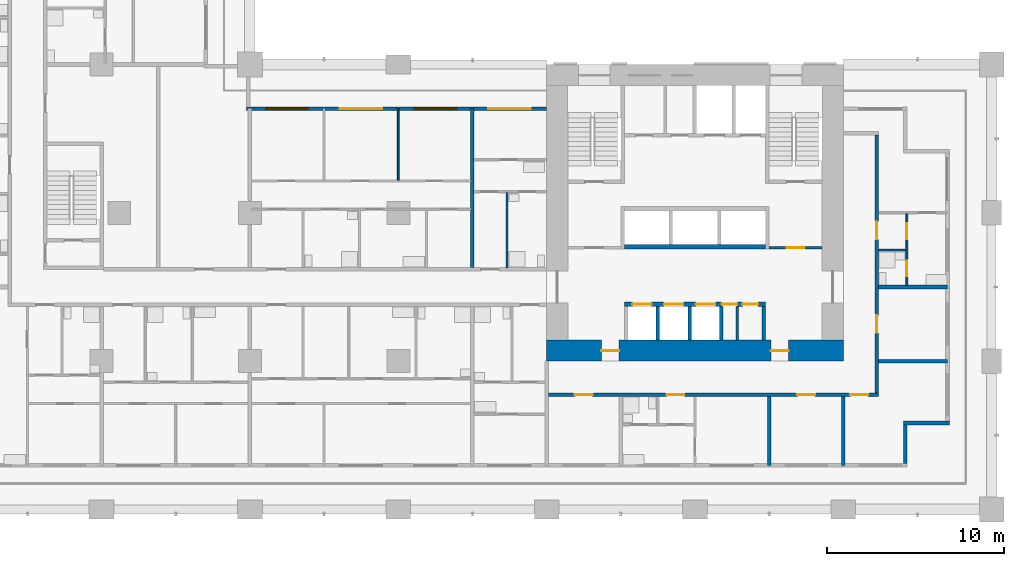
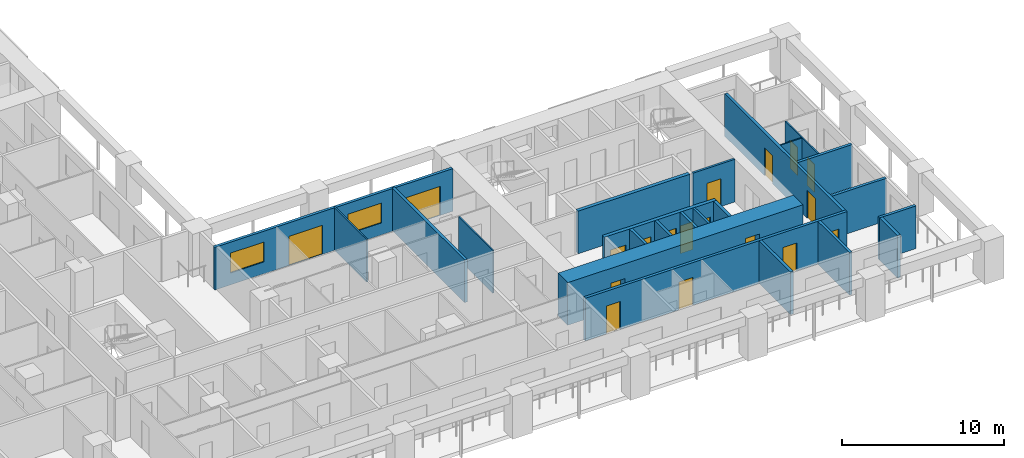
# One storey, part 6 of 19: 23 walls, 18 doors, 2 windows, 20 openings.
"""IFC4 building model written with IfcOpenShell, lengths in metres."""

from ifc_helpers import new_model, si_unit, direction, frame, frame_2d, origin, place, context, subcontext, project, spatial, rectangle, extrude, material, layer, layer_set, type_object, element, fill, save


model = new_model("IFC4")

# Units and contexts
model_context = context("Model", 3, precision=1e-05, world=origin(), true_north=direction((0.0, 1.0)))
body_context = subcontext(model_context, "Body", "Model", "MODEL_VIEW")
ifc_project = project(units=[si_unit("LENGTHUNIT", "METRE"), si_unit("AREAUNIT", "SQUARE_METRE"), si_unit("VOLUMEUNIT", "CUBIC_METRE"), si_unit("PLANEANGLEUNIT", "RADIAN"), si_unit("MASSUNIT", "GRAM", prefix="KILO")], contexts=[model_context])

# Site, building, storey
site_placement = place(None, origin())
site = spatial("IfcSite", under=ifc_project, at=site_placement, CompositionType="ELEMENT")
building_placement = place(site_placement, origin())
building = spatial("IfcBuilding", under=site, at=building_placement, Name="Vermilion Gate Residences", CompositionType="ELEMENT")
storey_placement = place(building_placement, frame((0.0, 0.0, 49.699951171875)))
storey = spatial("IfcBuildingStorey", under=building, at=storey_placement, Name="L11", CompositionType="ELEMENT", Elevation=49.699951171875)

# Wall
ifc_material_1 = material(Name="Masonry blockwork", Category="masonry")
ifc_layer_1 = layer(ifc_material_1, 0.14990234375)
ifc_layer_set_1 = layer_set([ifc_layer_1], Name="BLOCKWORK PARTITION 150 EI 120")
wall_type_1 = type_object("IfcWallType", Name="BLOCKWORK PARTITION 150 EI 120", PredefinedType="PARTITIONING", material=ifc_layer_set_1)
wall_1_placement = place(storey_placement, frame((52.79248046875, 9.60009765625, 0.0), z_axis=(0.0, 0.0, 1.0), x_axis=(0.0, 1.0, 0.0)))
element("IfcWall", 1, at=wall_1_placement, inside=storey, type_object=wall_type_1, Name="Core room partition A11-SR-P0", PredefinedType="PARTITIONING", context=body_context, shape_type="SweptSolid", body=[
    extrude(rectangle(XDim=1.89990234375, YDim=0.14990234375, at=frame_2d((0.949951171875, 0.0))), origin(), (0.0, 0.0, 1.0), 3.219970703125),
])

# Wall, opening, door
wall_2_placement = place(storey_placement, frame((54.60009765625, 14.824951171875, 0.0), z_axis=(0.0, 0.0, 1.0), x_axis=(1.0, 0.0, 0.0)))
wall_2 = element("IfcWall", 2, at=wall_2_placement, inside=storey, type_object=wall_type_1, Name="Core room partition A11-VE-S", PredefinedType="PARTITIONING", context=body_context, shape_type="SweptSolid", body=[
    extrude(rectangle(XDim=3.0, YDim=0.14990234375, at=frame_2d((1.5, 0.0))), origin(), (0.0, 0.0, 1.0), 3.219970703125),
])
opening_1_placement = place(wall_2_placement, frame((1.0, 0.0, 0.0)))
opening_1 = element("IfcOpeningElement", 3, at=opening_1_placement, cuts=wall_2, Name="Opening DK11016", PredefinedType="OPENING", context=body_context, shape_type="SweptSolid", body=[
    extrude(rectangle(XDim=1.0, YDim=2.10009765625, at=frame_2d((0.5, 1.050048828125))), frame((0.0, 0.0849609375, 0.0), z_axis=(0.0, -1.0, 0.0), x_axis=(1.0, 0.0, 0.0)), (0.0, 0.0, 1.0), 0.169921875),
])
ifc_material_2 = material(Name="Steel", Category="steel")
door_type_1 = type_object("IfcDoorType", Name="FIRE DOOR FD60 1000 X 2100", OperationType="SINGLE_SWING_LEFT", PredefinedType="DOOR", material=ifc_material_2)
door_1_placement = place(opening_1_placement, frame((1.0, 0.0, 0.0), z_axis=(0.0, 0.0, 1.0), x_axis=(-1.0, 0.0, 0.0)))
door_1 = element("IfcDoor", 4, at=door_1_placement, inside=storey, type_object=door_type_1, Name="Stair vestibule door A11", OperationType="SINGLE_SWING_LEFT", OverallHeight=2.10009765625, OverallWidth=1.0, PredefinedType="DOOR", context=body_context, shape_type="SweptSolid", body=[
    extrude(rectangle(XDim=1.0, YDim=2.10009765625, at=frame_2d((0.5, 1.050048828125))), frame((0.0, 0.02490234375, 0.0), z_axis=(0.0, -1.0, 0.0), x_axis=(1.0, 0.0, 0.0)), (0.0, 0.0, 1.0), 0.050048828125),
])
fill(opening_1, door_1)

# Walls
ifc_material_3 = material(Name="Insulated steel stud wall with terracotta rainscreen", Category="masonry")
ifc_layer_2 = layer(ifc_material_3, 0.199951171875)
ifc_layer_set_2 = layer_set([ifc_layer_2], Name="EXTERNAL WALL 200 TERRACOTTA RAINSCREEN")
wall_type_2 = type_object("IfcWallType", Name="EXTERNAL WALL 200 TERRACOTTA RAINSCREEN", PredefinedType="SOLIDWALL", material=ifc_layer_set_2)
wall_3_placement = place(storey_placement, frame((62.300048828125, 2.60009765625, 0.0), z_axis=(0.0, 0.0, 1.0), x_axis=(0.0, 1.0, 0.0)))
element("IfcWall", 5, at=wall_3_placement, inside=storey, type_object=wall_type_2, Name="External wall", PredefinedType="SOLIDWALL", context=body_context, shape_type="SweptSolid", body=[
    extrude(rectangle(XDim=2.199951171875, YDim=0.199951171875, at=frame_2d((1.10009765625, 0.0))), origin(), (0.0, 0.0, 1.0), 3.219970703125),
])
wall_4_placement = place(storey_placement, frame((62.199951171875, 4.89990234375, 0.0), z_axis=(0.0, 0.0, 1.0), x_axis=(1.0, 0.0, 0.0)))
element("IfcWall", 6, at=wall_4_placement, inside=storey, type_object=wall_type_2, Name="External wall", PredefinedType="SOLIDWALL", context=body_context, shape_type="SweptSolid", body=[
    extrude(rectangle(XDim=2.60009765625, YDim=0.199951171875, at=frame_2d((1.300048828125, 0.0))), origin(), (0.0, 0.0, 1.0), 3.219970703125),
])

# Wall, openings, doors, windows
wall_5_placement = place(storey_placement, frame((42.0, 22.699951171875, 0.0), z_axis=(0.0, 0.0, 1.0), x_axis=(-1.0, 0.0, 0.0)))
wall_5 = element("IfcWall", 7, at=wall_5_placement, inside=storey, type_object=wall_type_2, Name="External wall", PredefinedType="SOLIDWALL", context=body_context, shape_type="SweptSolid", body=[
    extrude(rectangle(XDim=17.0, YDim=0.199951171875, at=frame_2d((8.5, 0.0))), origin(), (0.0, 0.0, 1.0), 3.219970703125),
])
opening_2_placement = place(wall_5_placement, frame((13.5, 0.0, 0.89990234375)))
opening_2 = element("IfcOpeningElement", 8, at=opening_2_placement, cuts=wall_5, Name="Opening WE11033", PredefinedType="OPENING", context=body_context, shape_type="SweptSolid", body=[
    extrude(rectangle(XDim=2.39990234375, YDim=1.5, at=frame_2d((1.199951171875, 0.75))), frame((0.0, 0.10986328125, 0.0), z_axis=(0.0, -1.0, 0.0), x_axis=(1.0, 0.0, 0.0)), (0.0, 0.0, 1.0), 0.219970703125),
])
opening_3_placement = place(wall_5_placement, frame((9.300048828125, 0.0, 0.0)))
opening_3 = element("IfcOpeningElement", 9, at=opening_3_placement, cuts=wall_5, Name="Opening DE11034", PredefinedType="OPENING", context=body_context, shape_type="SweptSolid", body=[
    extrude(rectangle(XDim=2.39990234375, YDim=2.199951171875, at=frame_2d((1.199951171875, 1.10009765625))), frame((0.0, 0.10986328125, 0.0), z_axis=(0.0, -1.0, 0.0), x_axis=(1.0, 0.0, 0.0)), (0.0, 0.0, 1.0), 0.219970703125),
])
opening_4_placement = place(wall_5_placement, frame((5.10009765625, 0.0, 0.89990234375)))
opening_4 = element("IfcOpeningElement", 10, at=opening_4_placement, cuts=wall_5, Name="Opening WE11035", PredefinedType="OPENING", context=body_context, shape_type="SweptSolid", body=[
    extrude(rectangle(XDim=2.39990234375, YDim=1.5, at=frame_2d((1.199951171875, 0.75))), frame((0.0, 0.10986328125, 0.0), z_axis=(0.0, -1.0, 0.0), x_axis=(1.0, 0.0, 0.0)), (0.0, 0.0, 1.0), 0.219970703125),
])
opening_5_placement = place(wall_5_placement, frame((0.89990234375, 0.0, 0.0)))
opening_5 = element("IfcOpeningElement", 11, at=opening_5_placement, cuts=wall_5, Name="Opening DE11036", PredefinedType="OPENING", context=body_context, shape_type="SweptSolid", body=[
    extrude(rectangle(XDim=2.39990234375, YDim=2.199951171875, at=frame_2d((1.199951171875, 1.10009765625))), frame((0.0, 0.10986328125, 0.0), z_axis=(0.0, -1.0, 0.0), x_axis=(1.0, 0.0, 0.0)), (0.0, 0.0, 1.0), 0.219970703125),
])
ifc_material_4 = material(Name="Aluminium and clear glass", Category="aluminium")
door_type_2 = type_object("IfcDoorType", Name="SLIDING GLAZED DOOR 2400 X 2200", OperationType="DOUBLE_DOOR_SLIDING", PredefinedType="DOOR", material=ifc_material_4)
door_2_placement = place(opening_3_placement, origin())
door_2 = element("IfcDoor", 12, at=door_2_placement, inside=storey, type_object=door_type_2, Name="Loggia sliding door", OperationType="DOUBLE_DOOR_SLIDING", OverallHeight=2.199951171875, OverallWidth=2.39990234375, PredefinedType="DOOR", context=body_context, shape_type="SweptSolid", body=[
    extrude(rectangle(XDim=2.39990234375, YDim=2.199951171875, at=frame_2d((1.199951171875, 1.10009765625))), frame((0.0, 0.02490234375, 0.0), z_axis=(0.0, -1.0, 0.0), x_axis=(1.0, 0.0, 0.0)), (0.0, 0.0, 1.0), 0.050048828125),
])
fill(opening_3, door_2)
door_3_placement = place(opening_5_placement, origin())
door_3 = element("IfcDoor", 13, at=door_3_placement, inside=storey, type_object=door_type_2, Name="Loggia sliding door", OperationType="DOUBLE_DOOR_SLIDING", OverallHeight=2.199951171875, OverallWidth=2.39990234375, PredefinedType="DOOR", context=body_context, shape_type="SweptSolid", body=[
    extrude(rectangle(XDim=2.39990234375, YDim=2.199951171875, at=frame_2d((1.199951171875, 1.10009765625))), frame((0.0, 0.02490234375, 0.0), z_axis=(0.0, -1.0, 0.0), x_axis=(1.0, 0.0, 0.0)), (0.0, 0.0, 1.0), 0.050048828125),
])
fill(opening_5, door_3)
ifc_material_5 = material(Name="Aluminium and clear glass", Category="aluminium")
window_type = type_object("IfcWindowType", Name="WINDOW 2400 X 1500", PartitioningType="SINGLE_PANEL", PredefinedType="WINDOW", material=ifc_material_5)
window_1_placement = place(opening_2_placement, origin())
window_1 = element("IfcWindow", 14, at=window_1_placement, inside=storey, type_object=window_type, Name="Window", OverallHeight=1.5, OverallWidth=2.39990234375, PartitioningType="SINGLE_PANEL", PredefinedType="WINDOW", context=body_context, shape_type="SweptSolid", body=[
    extrude(rectangle(XDim=2.39990234375, YDim=1.5, at=frame_2d((1.199951171875, 0.75))), frame((0.0, 0.030029296875, 0.0), z_axis=(0.0, -1.0, 0.0), x_axis=(1.0, 0.0, 0.0)), (0.0, 0.0, 1.0), 0.06005859375),
])
fill(opening_2, window_1)
window_2_placement = place(opening_4_placement, origin())
window_2 = element("IfcWindow", 15, at=window_2_placement, inside=storey, type_object=window_type, Name="Window", OverallHeight=1.5, OverallWidth=2.39990234375, PartitioningType="SINGLE_PANEL", PredefinedType="WINDOW", context=body_context, shape_type="SweptSolid", body=[
    extrude(rectangle(XDim=2.39990234375, YDim=1.5, at=frame_2d((1.199951171875, 0.75))), frame((0.0, 0.030029296875, 0.0), z_axis=(0.0, -1.0, 0.0), x_axis=(1.0, 0.0, 0.0)), (0.0, 0.0, 1.0), 0.06005859375),
])
fill(opening_4, window_2)

# Walls
ifc_material_6 = material(Name="Plasterboard on steel studs", Category="steel")
ifc_layer_3 = layer(ifc_material_6, 0.10009765625)
ifc_layer_set_3 = layer_set([ifc_layer_3], Name="PARTITION 100")
wall_type_3 = type_object("IfcWallType", Name="PARTITION 100", PredefinedType="PARTITIONING", material=ifc_layer_set_3)
wall_6_placement = place(storey_placement, frame((60.800048828125, 14.699951171875, 0.0), z_axis=(0.0, 0.0, 1.0), x_axis=(1.0, 0.0, 0.0)))
element("IfcWall", 16, at=wall_6_placement, inside=storey, type_object=wall_type_3, Name="Partition", PredefinedType="PARTITIONING", context=body_context, shape_type="SweptSolid", body=[
    extrude(rectangle(XDim=1.550048828125, YDim=0.10009765625, at=frame_2d((0.77490234375, 0.0))), origin(), (0.0, 0.0, 1.0), 3.219970703125),
])
wall_7_placement = place(storey_placement, frame((33.60009765625, 18.64990234375, 0.0), z_axis=(0.0, 0.0, 1.0), x_axis=(0.0, 1.0, 0.0)))
element("IfcWall", 17, at=wall_7_placement, inside=storey, type_object=wall_type_3, Name="Partition", PredefinedType="PARTITIONING", context=body_context, shape_type="SweptSolid", body=[
    extrude(rectangle(XDim=4.050048828125, YDim=0.10009765625, at=frame_2d((2.02490234375, 0.0))), origin(), (0.0, 0.0, 1.0), 3.219970703125),
])
wall_8_placement = place(storey_placement, frame((39.760009765625, 13.699951171875, 0.0), z_axis=(0.0, 0.0, 1.0), x_axis=(0.0, 1.0, 0.0)))
element("IfcWall", 18, at=wall_8_placement, inside=storey, type_object=wall_type_3, Name="Partition", PredefinedType="PARTITIONING", context=body_context, shape_type="SweptSolid", body=[
    extrude(rectangle(XDim=4.25, YDim=0.10009765625, at=frame_2d((2.125, 0.0))), origin(), (0.0, 0.0, 1.0), 3.219970703125),
])

# Wall, openings, doors
wall_9_placement = place(storey_placement, frame((62.39990234375, 12.699951171875, 0.0), z_axis=(0.0, 0.0, 1.0), x_axis=(0.0, 1.0, 0.0)))
wall_9 = element("IfcWall", 19, at=wall_9_placement, inside=storey, type_object=wall_type_3, Name="Partition", PredefinedType="PARTITIONING", context=body_context, shape_type="SweptSolid", body=[
    extrude(rectangle(XDim=4.050048828125, YDim=0.10009765625, at=frame_2d((2.02490234375, 0.0))), origin(), (0.0, 0.0, 1.0), 3.219970703125),
])
opening_6_placement = place(wall_9_placement, frame((2.60009765625, 0.0, 0.0)))
opening_6 = element("IfcOpeningElement", 20, at=opening_6_placement, cuts=wall_9, Name="Opening DA10083", PredefinedType="OPENING", context=body_context, shape_type="SweptSolid", body=[
    extrude(rectangle(XDim=0.89990234375, YDim=2.10009765625, at=frame_2d((0.449951171875, 1.050048828125))), frame((0.0, 0.06005859375, 0.0), z_axis=(0.0, -1.0, 0.0), x_axis=(1.0, 0.0, 0.0)), (0.0, 0.0, 1.0), 0.1201171875),
])
opening_7_placement = place(wall_9_placement, frame((0.5, 0.0, 0.0)))
opening_7 = element("IfcOpeningElement", 21, at=opening_7_placement, cuts=wall_9, Name="Opening DA10084", PredefinedType="OPENING", context=body_context, shape_type="SweptSolid", body=[
    extrude(rectangle(XDim=0.89990234375, YDim=2.10009765625, at=frame_2d((0.449951171875, 1.050048828125))), frame((0.0, 0.06005859375, 0.0), z_axis=(0.0, -1.0, 0.0), x_axis=(1.0, 0.0, 0.0)), (0.0, 0.0, 1.0), 0.1201171875),
])
ifc_material_7 = material(Name="Timber", Category="wood")
door_type_3 = type_object("IfcDoorType", Name="INTERIOR DOOR 900 X 2100", OperationType="SINGLE_SWING_LEFT", PredefinedType="DOOR", material=ifc_material_7)
door_4_placement = place(opening_6_placement, frame((0.89990234375, 0.0, 0.0), z_axis=(0.0, 0.0, 1.0), x_axis=(-1.0, 0.0, 0.0)))
door_4 = element("IfcDoor", 22, at=door_4_placement, inside=storey, type_object=door_type_3, Name="Interior door", OperationType="SINGLE_SWING_LEFT", OverallHeight=2.10009765625, OverallWidth=0.89990234375, PredefinedType="DOOR", context=body_context, shape_type="SweptSolid", body=[
    extrude(rectangle(XDim=0.89990234375, YDim=2.10009765625, at=frame_2d((0.449951171875, 1.050048828125))), frame((0.0, 0.02490234375, 0.0), z_axis=(0.0, -1.0, 0.0), x_axis=(1.0, 0.0, 0.0)), (0.0, 0.0, 1.0), 0.050048828125),
])
fill(opening_6, door_4)
door_5_placement = place(opening_7_placement, origin())
door_5 = element("IfcDoor", 23, at=door_5_placement, inside=storey, type_object=door_type_3, Name="Interior door", OperationType="SINGLE_SWING_RIGHT", OverallHeight=2.10009765625, OverallWidth=0.89990234375, PredefinedType="DOOR", context=body_context, shape_type="SweptSolid", body=[
    extrude(rectangle(XDim=0.89990234375, YDim=2.10009765625, at=frame_2d((0.449951171875, 1.050048828125))), frame((0.0, 0.02490234375, 0.0), z_axis=(0.0, -1.0, 0.0), x_axis=(1.0, 0.0, 0.0)), (0.0, 0.0, 1.0), 0.050048828125),
])
fill(opening_7, door_5)

ifc_material_8 = material(Name="Fire-rated plasterboard on steel studs", Category="steel")
ifc_layer_4 = layer(ifc_material_8, 0.199951171875)
ifc_layer_set_4 = layer_set([ifc_layer_4], Name="PARTY WALL 200 EI 120")
wall_type_4 = type_object("IfcWallType", Name="PARTY WALL 200 EI 120", PredefinedType="PARTITIONING", material=ifc_layer_set_4)
wall_10_placement = place(storey_placement, frame((42.10009765625, 6.5, 0.0), z_axis=(0.0, 0.0, 1.0), x_axis=(1.0, 0.0, 0.0)))
wall_10 = element("IfcWall", 24, at=wall_10_placement, inside=storey, type_object=wall_type_4, Name="Party and corridor wall", PredefinedType="PARTITIONING", context=body_context, shape_type="SweptSolid", body=[
    extrude(rectangle(XDim=18.699951171875, YDim=0.199951171875, at=frame_2d((9.35009765625, 0.0))), origin(), (0.0, 0.0, 1.0), 3.219970703125),
])
opening_8_placement = place(wall_10_placement, frame((1.5, 0.0, 0.0)))
opening_8 = element("IfcOpeningElement", 25, at=opening_8_placement, cuts=wall_10, Name="Opening DA10009", PredefinedType="OPENING", context=body_context, shape_type="SweptSolid", body=[
    extrude(rectangle(XDim=1.0, YDim=2.10009765625, at=frame_2d((0.5, 1.050048828125))), frame((0.0, 0.10986328125, 0.0), z_axis=(0.0, -1.0, 0.0), x_axis=(1.0, 0.0, 0.0)), (0.0, 0.0, 1.0), 0.219970703125),
])
opening_9_placement = place(wall_10_placement, frame((6.699951171875, 0.0, 0.0)))
opening_9 = element("IfcOpeningElement", 26, at=opening_9_placement, cuts=wall_10, Name="Opening DA10010", PredefinedType="OPENING", context=body_context, shape_type="SweptSolid", body=[
    extrude(rectangle(XDim=1.0, YDim=2.10009765625, at=frame_2d((0.5, 1.050048828125))), frame((0.0, 0.10986328125, 0.0), z_axis=(0.0, -1.0, 0.0), x_axis=(1.0, 0.0, 0.0)), (0.0, 0.0, 1.0), 0.219970703125),
])
opening_10_placement = place(wall_10_placement, frame((14.10009765625, 0.0, 0.0)))
opening_10 = element("IfcOpeningElement", 27, at=opening_10_placement, cuts=wall_10, Name="Opening DA10011", PredefinedType="OPENING", context=body_context, shape_type="SweptSolid", body=[
    extrude(rectangle(XDim=1.0, YDim=2.10009765625, at=frame_2d((0.5, 1.050048828125))), frame((0.0, 0.10986328125, 0.0), z_axis=(0.0, -1.0, 0.0), x_axis=(1.0, 0.0, 0.0)), (0.0, 0.0, 1.0), 0.219970703125),
])
opening_11_placement = place(wall_10_placement, frame((17.10009765625, 0.0, 0.0)))
opening_11 = element("IfcOpeningElement", 28, at=opening_11_placement, cuts=wall_10, Name="Opening DA10012", PredefinedType="OPENING", context=body_context, shape_type="SweptSolid", body=[
    extrude(rectangle(XDim=1.0, YDim=2.10009765625, at=frame_2d((0.5, 1.050048828125))), frame((0.0, 0.10986328125, 0.0), z_axis=(0.0, -1.0, 0.0), x_axis=(1.0, 0.0, 0.0)), (0.0, 0.0, 1.0), 0.219970703125),
])
ifc_material_9 = material(Name="Steel", Category="steel")
door_type_4 = type_object("IfcDoorType", Name="ENTRANCE DOOR 1000 X 2100 FD30", OperationType="SINGLE_SWING_LEFT", PredefinedType="DOOR", material=ifc_material_9)
door_6_placement = place(opening_8_placement, frame((1.0, 0.0, 0.0), z_axis=(0.0, 0.0, 1.0), x_axis=(-1.0, 0.0, 0.0)))
door_6 = element("IfcDoor", 29, at=door_6_placement, inside=storey, type_object=door_type_4, Name="Entrance door", OperationType="SINGLE_SWING_RIGHT", OverallHeight=2.10009765625, OverallWidth=1.0, PredefinedType="DOOR", context=body_context, shape_type="SweptSolid", body=[
    extrude(rectangle(XDim=1.0, YDim=2.10009765625, at=frame_2d((0.5, 1.050048828125))), frame((0.0, 0.02490234375, 0.0), z_axis=(0.0, -1.0, 0.0), x_axis=(1.0, 0.0, 0.0)), (0.0, 0.0, 1.0), 0.050048828125),
])
fill(opening_8, door_6)
door_7_placement = place(opening_9_placement, frame((1.0, 0.0, 0.0), z_axis=(0.0, 0.0, 1.0), x_axis=(-1.0, 0.0, 0.0)))
door_7 = element("IfcDoor", 30, at=door_7_placement, inside=storey, type_object=door_type_4, Name="Entrance door", OperationType="SINGLE_SWING_RIGHT", OverallHeight=2.10009765625, OverallWidth=1.0, PredefinedType="DOOR", context=body_context, shape_type="SweptSolid", body=[
    extrude(rectangle(XDim=1.0, YDim=2.10009765625, at=frame_2d((0.5, 1.050048828125))), frame((0.0, 0.02490234375, 0.0), z_axis=(0.0, -1.0, 0.0), x_axis=(1.0, 0.0, 0.0)), (0.0, 0.0, 1.0), 0.050048828125),
])
fill(opening_9, door_7)
door_8_placement = place(opening_10_placement, frame((1.0, 0.0, 0.0), z_axis=(0.0, 0.0, 1.0), x_axis=(-1.0, 0.0, 0.0)))
door_8 = element("IfcDoor", 31, at=door_8_placement, inside=storey, type_object=door_type_4, Name="Entrance door", OperationType="SINGLE_SWING_LEFT", OverallHeight=2.10009765625, OverallWidth=1.0, PredefinedType="DOOR", context=body_context, shape_type="SweptSolid", body=[
    extrude(rectangle(XDim=1.0, YDim=2.10009765625, at=frame_2d((0.5, 1.050048828125))), frame((0.0, 0.02490234375, 0.0), z_axis=(0.0, -1.0, 0.0), x_axis=(1.0, 0.0, 0.0)), (0.0, 0.0, 1.0), 0.050048828125),
])
fill(opening_10, door_8)
door_9_placement = place(opening_11_placement, frame((1.0, 0.0, 0.0), z_axis=(0.0, 0.0, 1.0), x_axis=(-1.0, 0.0, 0.0)))
door_9 = element("IfcDoor", 32, at=door_9_placement, inside=storey, type_object=door_type_4, Name="Entrance door", OperationType="SINGLE_SWING_RIGHT", OverallHeight=2.10009765625, OverallWidth=1.0, PredefinedType="DOOR", context=body_context, shape_type="SweptSolid", body=[
    extrude(rectangle(XDim=1.0, YDim=2.10009765625, at=frame_2d((0.5, 1.050048828125))), frame((0.0, 0.02490234375, 0.0), z_axis=(0.0, -1.0, 0.0), x_axis=(1.0, 0.0, 0.0)), (0.0, 0.0, 1.0), 0.050048828125),
])
fill(opening_11, door_9)

# Walls
for number, where, z_axis, x_axis, name in (
    (33, (60.800048828125, 8.39990234375, 0.0), (0.0, 0.0, 1.0), (1.0, 0.0, 0.0), "Party and corridor wall"),
    (34, (60.800048828125, 12.60009765625, 0.0), (0.0, 0.0, 1.0), (1.0, 0.0, 0.0), "Party and corridor wall"),
):
    element("IfcWall", number, at=place(storey_placement, frame(where, z_axis=z_axis, x_axis=x_axis)), inside=storey, type_object=wall_type_4, Name=name, PredefinedType="PARTITIONING", context=body_context, shape_type="SweptSolid", body=[
        extrude(rectangle(XDim=3.89990234375, YDim=0.199951171875, at=frame_2d((1.949951171875, 0.0))), origin(), (0.0, 0.0, 1.0), 3.219970703125),
    ])
wall_11_placement = place(storey_placement, frame((37.800048828125, 13.699951171875, 0.0), z_axis=(0.0, 0.0, 1.0), x_axis=(0.0, 1.0, 0.0)))
element("IfcWall", 35, at=wall_11_placement, inside=storey, type_object=wall_type_4, Name="Party and corridor wall", PredefinedType="PARTITIONING", context=body_context, shape_type="SweptSolid", body=[
    extrude(rectangle(XDim=9.0, YDim=0.199951171875, at=frame_2d((4.5, 0.0))), origin(), (0.0, 0.0, 1.0), 3.219970703125),
])
for number, where, z_axis, x_axis, name in (
    (36, (54.60009765625, 2.5, 0.0), (0.0, 0.0, 1.0), (0.0, 1.0, 0.0), "Party and corridor wall"),
    (37, (58.800048828125, 2.5, 0.0), (0.0, 0.0, 1.0), (0.0, 1.0, 0.0), "Party and corridor wall"),
):
    element("IfcWall", number, at=place(storey_placement, frame(where, z_axis=z_axis, x_axis=x_axis)), inside=storey, type_object=wall_type_4, Name=name, PredefinedType="PARTITIONING", context=body_context, shape_type="SweptSolid", body=[
        extrude(rectangle(XDim=3.89990234375, YDim=0.199951171875, at=frame_2d((1.949951171875, 0.0))), origin(), (0.0, 0.0, 1.0), 3.219970703125),
    ])

# Wall, openings, doors
wall_12_placement = place(storey_placement, frame((60.699951171875, 6.60009765625, 0.0), z_axis=(0.0, 0.0, 1.0), x_axis=(0.0, 1.0, 0.0)))
wall_12 = element("IfcWall", 38, at=wall_12_placement, inside=storey, type_object=wall_type_4, Name="Party and corridor wall", PredefinedType="PARTITIONING", context=body_context, shape_type="SweptSolid", body=[
    extrude(rectangle(XDim=14.599853515625, YDim=0.199951171875, at=frame_2d((7.2998046875, 0.0))), origin(), (0.0, 0.0, 1.0), 3.219970703125),
])
opening_12_placement = place(wall_12_placement, frame((3.39990234375, 0.0, 0.0)))
opening_12 = element("IfcOpeningElement", 39, at=opening_12_placement, cuts=wall_12, Name="Opening DA10081", PredefinedType="OPENING", context=body_context, shape_type="SweptSolid", body=[
    extrude(rectangle(XDim=1.0, YDim=2.10009765625, at=frame_2d((0.5, 1.050048828125))), frame((0.0, 0.10986328125, 0.0), z_axis=(0.0, -1.0, 0.0), x_axis=(1.0, 0.0, 0.0)), (0.0, 0.0, 1.0), 0.219970703125),
])
opening_13_placement = place(wall_12_placement, frame((8.699951171875, 0.0, 0.0)))
opening_13 = element("IfcOpeningElement", 40, at=opening_13_placement, cuts=wall_12, Name="Opening DA10082", PredefinedType="OPENING", context=body_context, shape_type="SweptSolid", body=[
    extrude(rectangle(XDim=1.0, YDim=2.10009765625, at=frame_2d((0.5, 1.050048828125))), frame((0.0, 0.10986328125, 0.0), z_axis=(0.0, -1.0, 0.0), x_axis=(1.0, 0.0, 0.0)), (0.0, 0.0, 1.0), 0.219970703125),
])
door_10_placement = place(opening_12_placement, frame((1.0, 0.0, 0.0), z_axis=(0.0, 0.0, 1.0), x_axis=(-1.0, 0.0, 0.0)))
door_10 = element("IfcDoor", 41, at=door_10_placement, inside=storey, type_object=door_type_4, Name="Entrance door", OperationType="SINGLE_SWING_RIGHT", OverallHeight=2.10009765625, OverallWidth=1.0, PredefinedType="DOOR", context=body_context, shape_type="SweptSolid", body=[
    extrude(rectangle(XDim=1.0, YDim=2.10009765625, at=frame_2d((0.5, 1.050048828125))), frame((0.0, 0.02490234375, 0.0), z_axis=(0.0, -1.0, 0.0), x_axis=(1.0, 0.0, 0.0)), (0.0, 0.0, 1.0), 0.050048828125),
])
fill(opening_12, door_10)
door_11_placement = place(opening_13_placement, frame((1.0, 0.0, 0.0), z_axis=(0.0, 0.0, 1.0), x_axis=(-1.0, 0.0, 0.0)))
door_11 = element("IfcDoor", 42, at=door_11_placement, inside=storey, type_object=door_type_4, Name="Entrance door", OperationType="SINGLE_SWING_LEFT", OverallHeight=2.10009765625, OverallWidth=1.0, PredefinedType="DOOR", context=body_context, shape_type="SweptSolid", body=[
    extrude(rectangle(XDim=1.0, YDim=2.10009765625, at=frame_2d((0.5, 1.050048828125))), frame((0.0, 0.02490234375, 0.0), z_axis=(0.0, -1.0, 0.0), x_axis=(1.0, 0.0, 0.0)), (0.0, 0.0, 1.0), 0.050048828125),
])
fill(opening_13, door_11)

# Walls
ifc_material_10 = material(Name="Concrete C60", Category="concrete")
ifc_layer_5 = layer(ifc_material_10, 0.199951171875)
ifc_layer_set_5 = layer_set([ifc_layer_5], Name="RC CORE INTERNAL WALL 200 C60")
wall_type_5 = type_object("IfcWallType", Name="RC CORE INTERNAL WALL 200 C60", PredefinedType="SHEAR", material=ifc_layer_set_5)
for number, where, z_axis, x_axis, name in (
    (43, (48.300048828125, 9.60009765625, 0.0), (0.0, 0.0, 1.0), (0.0, 1.0, 0.0), "Core internal wall A11-LR-D1"),
    (44, (50.10009765625, 9.60009765625, 0.0), (0.0, 0.0, 1.0), (0.0, 1.0, 0.0), "Core internal wall A11-LR-D2"),
    (45, (51.89990234375, 9.60009765625, 0.0), (0.0, 0.0, 1.0), (0.0, 1.0, 0.0), "Core internal wall A11-LR-D3"),
    (46, (54.300048828125, 9.60009765625, 0.0), (0.0, 0.0, 1.0), (0.0, 1.0, 0.0), "Core internal wall A11-LR-DE"),
):
    element("IfcWall", number, at=place(storey_placement, frame(where, z_axis=z_axis, x_axis=x_axis)), inside=storey, type_object=wall_type_5, Name=name, PredefinedType="SHEAR", context=body_context, shape_type="SweptSolid", body=[
        extrude(rectangle(XDim=1.89990234375, YDim=0.199951171875, at=frame_2d((0.949951171875, 0.0))), origin(), (0.0, 0.0, 1.0), 3.219970703125),
    ])

# Wall, openings, doors
ifc_material_11 = material(Name="Concrete C80", Category="concrete")
ifc_layer_6 = layer(ifc_material_11, 1.199951171875)
ifc_layer_set_6 = layer_set([ifc_layer_6], Name="RC CORE WALL 1200 C80")
wall_type_6 = type_object("IfcWallType", Name="RC CORE WALL 1200 C80", PredefinedType="SHEAR", material=ifc_layer_set_6)
wall_13_placement = place(storey_placement, frame((42.0, 9.0, 0.0), z_axis=(0.0, 0.0, 1.0), x_axis=(1.0, 0.0, 0.0)))
wall_13 = element("IfcWall", 47, at=wall_13_placement, inside=storey, type_object=wall_type_6, Name="Core wall A11-OUT-B0", PredefinedType="SHEAR", context=body_context, shape_type="SweptSolid", body=[
    extrude(rectangle(XDim=16.800048828125, YDim=1.199951171875, at=frame_2d((8.39990234375, 0.0))), origin(), (0.0, 0.0, 1.0), 3.219970703125),
])
opening_14_placement = place(wall_13_placement, frame((3.10009765625, 0.0, 0.0)))
opening_14 = element("IfcOpeningElement", 48, at=opening_14_placement, cuts=wall_13, Name="Opening DK11001", PredefinedType="OPENING", context=body_context, shape_type="SweptSolid", body=[
    extrude(rectangle(XDim=1.0, YDim=2.10009765625, at=frame_2d((0.5, 1.050048828125))), frame((0.0, 0.60986328125, 0.0), z_axis=(0.0, -1.0, 0.0), x_axis=(1.0, 0.0, 0.0)), (0.0, 0.0, 1.0), 1.219970703125),
])
opening_15_placement = place(wall_13_placement, frame((12.699951171875, 0.0, 0.0)))
opening_15 = element("IfcOpeningElement", 49, at=opening_15_placement, cuts=wall_13, Name="Opening DK11002", PredefinedType="OPENING", context=body_context, shape_type="SweptSolid", body=[
    extrude(rectangle(XDim=1.0, YDim=2.10009765625, at=frame_2d((0.5, 1.050048828125))), frame((0.0, 0.60986328125, 0.0), z_axis=(0.0, -1.0, 0.0), x_axis=(1.0, 0.0, 0.0)), (0.0, 0.0, 1.0), 1.219970703125),
])
door_12_placement = place(opening_14_placement, origin())
door_12 = element("IfcDoor", 50, at=door_12_placement, inside=storey, type_object=door_type_1, Name="Core lobby side door A11", OperationType="SINGLE_SWING_RIGHT", OverallHeight=2.10009765625, OverallWidth=1.0, PredefinedType="DOOR", context=body_context, shape_type="SweptSolid", body=[
    extrude(rectangle(XDim=1.0, YDim=2.10009765625, at=frame_2d((0.5, 1.050048828125))), frame((0.0, 0.02490234375, 0.0), z_axis=(0.0, -1.0, 0.0), x_axis=(1.0, 0.0, 0.0)), (0.0, 0.0, 1.0), 0.050048828125),
])
fill(opening_14, door_12)
door_13_placement = place(opening_15_placement, origin())
door_13 = element("IfcDoor", 51, at=door_13_placement, inside=storey, type_object=door_type_1, Name="Core lobby side door A11", OperationType="SINGLE_SWING_LEFT", OverallHeight=2.10009765625, OverallWidth=1.0, PredefinedType="DOOR", context=body_context, shape_type="SweptSolid", body=[
    extrude(rectangle(XDim=1.0, YDim=2.10009765625, at=frame_2d((0.5, 1.050048828125))), frame((0.0, 0.02490234375, 0.0), z_axis=(0.0, -1.0, 0.0), x_axis=(1.0, 0.0, 0.0)), (0.0, 0.0, 1.0), 0.050048828125),
])
fill(opening_15, door_13)

ifc_material_12 = material(Name="Concrete C60", Category="concrete")
ifc_layer_7 = layer(ifc_material_12, 0.25)
ifc_layer_set_7 = layer_set([ifc_layer_7], Name="RC LIFT SHAFT WALL 250 C60")
wall_type_7 = type_object("IfcWallType", Name="RC LIFT SHAFT WALL 250 C60", PredefinedType="SHEAR", material=ifc_layer_set_7)
wall_14_placement = place(storey_placement, frame((46.39990234375, 11.625, 0.0), z_axis=(0.0, 0.0, 1.0), x_axis=(1.0, 0.0, 0.0)))
wall_14 = element("IfcWall", 52, at=wall_14_placement, inside=storey, type_object=wall_type_7, Name="Lift shaft wall A11-LR-F", PredefinedType="SHEAR", context=body_context, shape_type="SweptSolid", body=[
    extrude(rectangle(XDim=8.0, YDim=0.25, at=frame_2d((4.0, 0.0))), origin(), (0.0, 0.0, 1.0), 3.219970703125),
])
opening_16_placement = place(wall_14_placement, frame((0.449951171875, 0.0, 0.0)))
opening_16 = element("IfcOpeningElement", 53, at=opening_16_placement, cuts=wall_14, Name="Opening LD", PredefinedType="OPENING", context=body_context, shape_type="SweptSolid", body=[
    extrude(rectangle(XDim=1.10009765625, YDim=2.10009765625, at=frame_2d((0.550048828125, 1.050048828125))), frame((0.0, 0.135009765625, 0.0), z_axis=(0.0, -1.0, 0.0), x_axis=(1.0, 0.0, 0.0)), (0.0, 0.0, 1.0), 0.27001953125),
])
opening_17_placement = place(wall_14_placement, frame((2.25, 0.0, 0.0)))
opening_17 = element("IfcOpeningElement", 54, at=opening_17_placement, cuts=wall_14, Name="Opening LD", PredefinedType="OPENING", context=body_context, shape_type="SweptSolid", body=[
    extrude(rectangle(XDim=1.10009765625, YDim=2.10009765625, at=frame_2d((0.550048828125, 1.050048828125))), frame((0.0, 0.135009765625, 0.0), z_axis=(0.0, -1.0, 0.0), x_axis=(1.0, 0.0, 0.0)), (0.0, 0.0, 1.0), 0.27001953125),
])
opening_18_placement = place(wall_14_placement, frame((4.050048828125, 0.0, 0.0)))
opening_18 = element("IfcOpeningElement", 55, at=opening_18_placement, cuts=wall_14, Name="Opening LD", PredefinedType="OPENING", context=body_context, shape_type="SweptSolid", body=[
    extrude(rectangle(XDim=1.10009765625, YDim=2.10009765625, at=frame_2d((0.550048828125, 1.050048828125))), frame((0.0, 0.135009765625, 0.0), z_axis=(0.0, -1.0, 0.0), x_axis=(1.0, 0.0, 0.0)), (0.0, 0.0, 1.0), 0.27001953125),
])
opening_19_placement = place(wall_14_placement, frame((5.5087890625, 0.0, 0.0)))
opening_19 = element("IfcOpeningElement", 56, at=opening_19_placement, cuts=wall_14, Name="Opening DK11008", PredefinedType="OPENING", context=body_context, shape_type="SweptSolid", body=[
    extrude(rectangle(XDim=0.89990234375, YDim=2.10009765625, at=frame_2d((0.449951171875, 1.050048828125))), frame((0.0, 0.135009765625, 0.0), z_axis=(0.0, -1.0, 0.0), x_axis=(1.0, 0.0, 0.0)), (0.0, 0.0, 1.0), 0.27001953125),
])
opening_20_placement = place(wall_14_placement, frame((6.683837890625, 0.0, 0.0)))
opening_20 = element("IfcOpeningElement", 57, at=opening_20_placement, cuts=wall_14, Name="Opening DK11009", PredefinedType="OPENING", context=body_context, shape_type="SweptSolid", body=[
    extrude(rectangle(XDim=0.89990234375, YDim=2.10009765625, at=frame_2d((0.449951171875, 1.050048828125))), frame((0.0, 0.135009765625, 0.0), z_axis=(0.0, -1.0, 0.0), x_axis=(1.0, 0.0, 0.0)), (0.0, 0.0, 1.0), 0.27001953125),
])
ifc_material_13 = material(Name="Stainless steel", Category="steel")
door_type_5 = type_object("IfcDoorType", Name="LIFT LANDING DOOR E60 1100 X 2100", OperationType="DOUBLE_DOOR_SLIDING", PredefinedType="DOOR", material=ifc_material_13)
door_14_placement = place(opening_16_placement, origin())
door_14 = element("IfcDoor", 58, at=door_14_placement, inside=storey, type_object=door_type_5, Name="Lift landing door LRA1", OperationType="DOUBLE_DOOR_SLIDING", OverallHeight=2.10009765625, OverallWidth=1.10009765625, PredefinedType="DOOR", context=body_context, shape_type="SweptSolid", body=[
    extrude(rectangle(XDim=1.10009765625, YDim=2.10009765625, at=frame_2d((0.550048828125, 1.050048828125))), frame((0.0, 0.02490234375, 0.0), z_axis=(0.0, -1.0, 0.0), x_axis=(1.0, 0.0, 0.0)), (0.0, 0.0, 1.0), 0.050048828125),
])
fill(opening_16, door_14)
door_15_placement = place(opening_17_placement, origin())
door_15 = element("IfcDoor", 59, at=door_15_placement, inside=storey, type_object=door_type_5, Name="Lift landing door LRA2", OperationType="DOUBLE_DOOR_SLIDING", OverallHeight=2.10009765625, OverallWidth=1.10009765625, PredefinedType="DOOR", context=body_context, shape_type="SweptSolid", body=[
    extrude(rectangle(XDim=1.10009765625, YDim=2.10009765625, at=frame_2d((0.550048828125, 1.050048828125))), frame((0.0, 0.02490234375, 0.0), z_axis=(0.0, -1.0, 0.0), x_axis=(1.0, 0.0, 0.0)), (0.0, 0.0, 1.0), 0.050048828125),
])
fill(opening_17, door_15)
door_16_placement = place(opening_18_placement, origin())
door_16 = element("IfcDoor", 60, at=door_16_placement, inside=storey, type_object=door_type_5, Name="Lift landing door LRA3", OperationType="DOUBLE_DOOR_SLIDING", OverallHeight=2.10009765625, OverallWidth=1.10009765625, PredefinedType="DOOR", context=body_context, shape_type="SweptSolid", body=[
    extrude(rectangle(XDim=1.10009765625, YDim=2.10009765625, at=frame_2d((0.550048828125, 1.050048828125))), frame((0.0, 0.02490234375, 0.0), z_axis=(0.0, -1.0, 0.0), x_axis=(1.0, 0.0, 0.0)), (0.0, 0.0, 1.0), 0.050048828125),
])
fill(opening_18, door_16)
ifc_material_14 = material(Name="Steel", Category="steel")
door_type_6 = type_object("IfcDoorType", Name="SERVICE ROOM DOOR FD60 900 X 2100", OperationType="SINGLE_SWING_LEFT", PredefinedType="DOOR", material=ifc_material_14)
door_17_placement = place(opening_19_placement, origin())
door_17 = element("IfcDoor", 61, at=door_17_placement, inside=storey, type_object=door_type_6, Name="Fire equipment store A11", OperationType="SINGLE_SWING_LEFT", OverallHeight=2.10009765625, OverallWidth=0.89990234375, PredefinedType="DOOR", context=body_context, shape_type="SweptSolid", body=[
    extrude(rectangle(XDim=0.89990234375, YDim=2.10009765625, at=frame_2d((0.449951171875, 1.050048828125))), frame((0.0, 0.02490234375, 0.0), z_axis=(0.0, -1.0, 0.0), x_axis=(1.0, 0.0, 0.0)), (0.0, 0.0, 1.0), 0.050048828125),
])
fill(opening_19, door_17)
door_18_placement = place(opening_20_placement, frame((0.89990234375, 0.0, 0.0), z_axis=(0.0, 0.0, 1.0), x_axis=(-1.0, 0.0, 0.0)))
door_18 = element("IfcDoor", 62, at=door_18_placement, inside=storey, type_object=door_type_6, Name="Mail room A11", OperationType="SINGLE_SWING_RIGHT", OverallHeight=2.10009765625, OverallWidth=0.89990234375, PredefinedType="DOOR", context=body_context, shape_type="SweptSolid", body=[
    extrude(rectangle(XDim=0.89990234375, YDim=2.10009765625, at=frame_2d((0.449951171875, 1.050048828125))), frame((0.0, 0.02490234375, 0.0), z_axis=(0.0, -1.0, 0.0), x_axis=(1.0, 0.0, 0.0)), (0.0, 0.0, 1.0), 0.050048828125),
])
fill(opening_20, door_18)

# Wall
wall_15_placement = place(storey_placement, frame((46.39990234375, 14.875, 0.0), z_axis=(0.0, 0.0, 1.0), x_axis=(1.0, 0.0, 0.0)))
element("IfcWall", 63, at=wall_15_placement, inside=storey, type_object=wall_type_7, Name="Lift shaft wall A11-HR-F", PredefinedType="SHEAR", context=body_context, shape_type="SweptSolid", body=[
    extrude(rectangle(XDim=8.0, YDim=0.25, at=frame_2d((4.0, 0.0))), origin(), (0.0, 0.0, 1.0), 3.219970703125),
])

save(model, "model.ifc")
